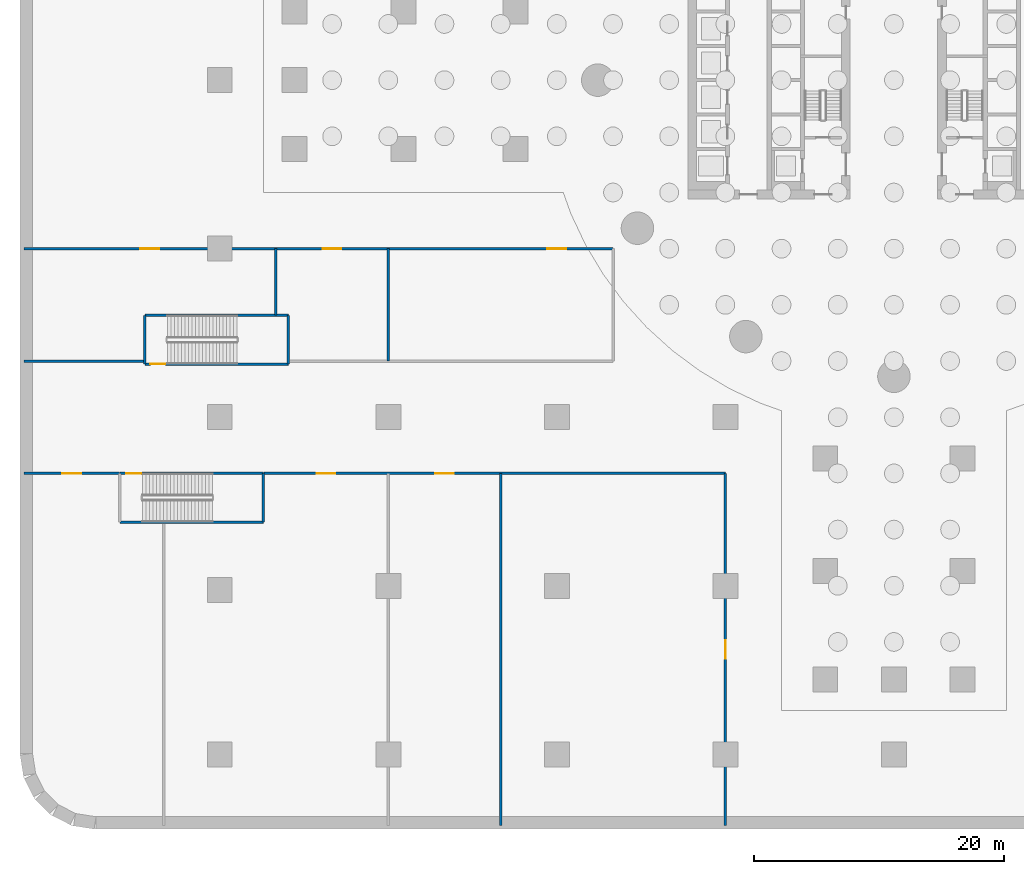
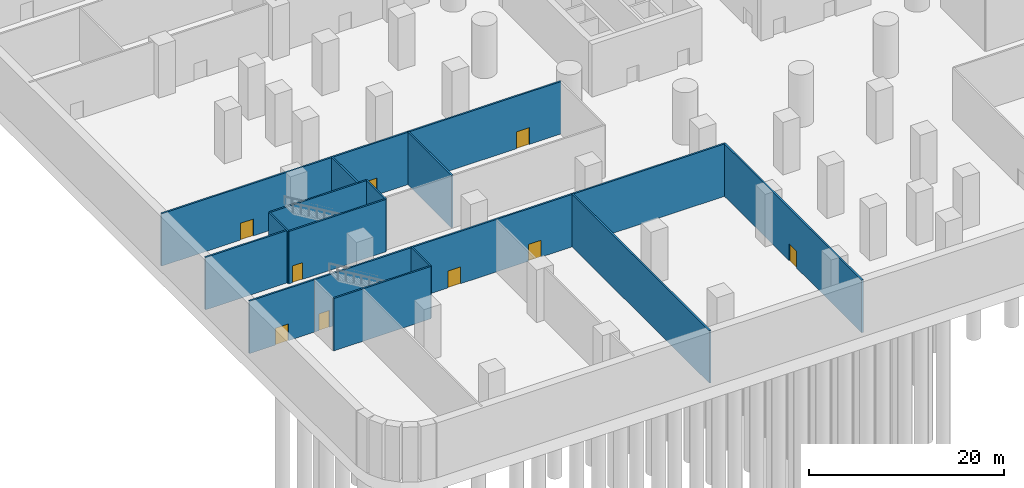
# One storey, part 3 of 13: 15 walls, 9 doors, 9 openings.
"""IFC4 building model written with IfcOpenShell, lengths in metres."""

import ifcopenshell
import ifcopenshell.guid

model = None  # the IFC model being written
_history = None  # IfcOwnerHistory: only IFC2X3 demands one
_inside = {}  # id of a spatial element -> (the spatial element, [elements in it])
_under = {}  # id of a project, library or spatial element -> (it, [spatial elements below it])
_declared = {}  # id of a project -> (the project, [libraries it declares])
_typed = {}  # id of a type object -> (the type object, [elements of that type])
_made_of = {}  # id of a material, layer set ... -> (it, [elements and type objects made of it])


def new_model(schema):
    """Start an empty IFC model of exactly this schema.

    Asked for "IFC4X3", IfcOpenShell would pick the latest addendum, in which some entities
    have other attributes; the version numbers below select the first issue.
    IFC2X3 requires an IfcOwnerHistory on every rooted entity: one is made here for all.
    """
    global model, _history
    if schema == "IFC4X3":
        model = ifcopenshell.file(schema_version=(4, 3, 0, 0))
    else:
        model = ifcopenshell.file(schema=schema)
    _inside.clear()
    _under.clear()
    _declared.clear()
    _typed.clear()
    _made_of.clear()
    _history = None
    if model.schema == "IFC2X3":
        org = make("IfcOrganization", Name="unknown")
        user = make(
            "IfcPersonAndOrganization",
            ThePerson=make("IfcPerson", FamilyName="unknown"),
            TheOrganization=org,
        )
        app = make(
            "IfcApplication",
            ApplicationDeveloper=org,
            Version="unknown",
            ApplicationFullName="unknown",
            ApplicationIdentifier="unknown",
        )
        _history = make(
            "IfcOwnerHistory",
            OwningUser=user,
            OwningApplication=app,
            ChangeAction="ADDED",
            CreationDate=0,
        )
    return model


def make(cls, **values):
    """One entity of the class cls with the attributes given. An attribute that is None is left unset."""
    return model.create_entity(
        cls, **{name: value for name, value in values.items() if value is not None}
    )


def rooted(cls, **values):
    """An entity with a GlobalId (a new one), such as an element, a storey or a relation."""
    return make(cls, GlobalId=ifcopenshell.guid.new(), OwnerHistory=_history, **values)


def si_unit(unit_type, name, prefix=None):
    """IfcSIUnit, for example si_unit("LENGTHUNIT", "METRE", prefix="MILLI")."""
    return make("IfcSIUnit", UnitType=unit_type, Prefix=prefix, Name=name)


def assignment(units):
    """IfcUnitAssignment: the units of a project."""
    return None if units is None else make("IfcUnitAssignment", Units=units)


def point(xyz):
    """IfcCartesianPoint."""
    return None if xyz is None else make("IfcCartesianPoint", Coordinates=xyz)


def direction(xyz):
    """IfcDirection."""
    return None if xyz is None else make("IfcDirection", DirectionRatios=xyz)


def frame(location, z_axis=None, x_axis=None):
    """IfcAxis2Placement3D, a coordinate frame: its origin and axes. An axis left out is left unset."""
    return make(
        "IfcAxis2Placement3D",
        Location=point(location),
        Axis=direction(z_axis),
        RefDirection=direction(x_axis),
    )


def frame_2d(location, x_axis=None):
    """IfcAxis2Placement2D, a coordinate frame in the plane: its origin and x axis."""
    return make(
        "IfcAxis2Placement2D", Location=point(location), RefDirection=direction(x_axis)
    )


def origin():
    """The frame at (0, 0, 0) with its axes left unset."""
    return frame((0.0, 0.0, 0.0))


def place(relative_to, where):
    """IfcLocalPlacement: puts the frame where relative to a parent placement (None: the world)."""
    return make(
        "IfcLocalPlacement", PlacementRelTo=relative_to, RelativePlacement=where
    )


def context(
    kind, dimensions, precision=None, world=None, true_north=None, identifier=None
):
    """IfcGeometricRepresentationContext, for example the 3D "Model" context."""
    return make(
        "IfcGeometricRepresentationContext",
        ContextIdentifier=identifier,
        ContextType=kind,
        CoordinateSpaceDimension=dimensions,
        Precision=precision,
        WorldCoordinateSystem=world,
        TrueNorth=true_north,
    )


def subcontext(parent, identifier, kind, view, scale=None):
    """IfcGeometricRepresentationSubContext, for example "Body" below "Model"."""
    return make(
        "IfcGeometricRepresentationSubContext",
        ContextIdentifier=identifier,
        ContextType=kind,
        ParentContext=parent,
        TargetScale=scale,
        TargetView=view,
    )


def project(units=None, contexts=None):
    """IfcProject with its units and contexts."""
    return rooted(
        "IfcProject",
        Name="project",
        RepresentationContexts=contexts,
        UnitsInContext=assignment(units),
    )


def spatial(cls, under=None, at=None, **own):
    """A site, building, storey or space (cls), placed at a placement, below another one or the project."""
    s = rooted(cls, ObjectPlacement=at, **own)
    if under is not None:
        _under.setdefault(under.id(), (under, []))[1].append(s)
    return s


def profile(cls, at=None, kind="AREA", **sizes):
    """A parametric profile (cls). Its sizes go by their IFC names, for example OverallWidth=200.0."""
    return make(cls, ProfileType=kind, Position=at, **sizes)


def rectangle(**sizes):
    """IfcRectangleProfileDef."""
    return profile("IfcRectangleProfileDef", **sizes)


def extrude(swept, where, along, depth):
    """IfcExtrudedAreaSolid: the profile swept, set in the frame where, extruded along a direction by depth."""
    return make(
        "IfcExtrudedAreaSolid",
        SweptArea=swept,
        Position=where,
        ExtrudedDirection=direction(along),
        Depth=depth,
    )


def shape(context_of_items, identifier, shape_type, items):
    """IfcShapeRepresentation: the items that make up one representation, for example the "Body"."""
    return make(
        "IfcShapeRepresentation",
        ContextOfItems=context_of_items,
        RepresentationIdentifier=identifier,
        RepresentationType=shape_type,
        Items=items,
    )


def material(Name=None, Category=None):
    """IfcMaterial."""
    return make("IfcMaterial", Name=Name, Category=Category)


def layer(
    of_material, thickness, ventilated=None, Name=None, Category=None, Priority=None
):
    """IfcMaterialLayer: one layer of a wall or slab, of a material (None: an air gap)."""
    return make(
        "IfcMaterialLayer",
        Material=of_material,
        LayerThickness=thickness,
        IsVentilated=ventilated,
        Name=Name,
        Category=Category,
        Priority=Priority,
    )


def layer_set(layers, Name=None):
    """IfcMaterialLayerSet."""
    return make("IfcMaterialLayerSet", MaterialLayers=layers, LayerSetName=Name)


def made_of(thing, what):
    """Note that an element or type object is made of a material, layer set ...; save() writes the relation."""
    if what is not None:
        _made_of.setdefault(what.id(), (what, []))[1].append(thing)
    return thing


def type_object(cls, material=None, **own):
    """A type object (cls), such as IfcWallType, which elements share."""
    return made_of(rooted(cls, **own), material)


def element(
    cls,
    number,
    at=None,
    inside=None,
    cuts=None,
    type_object=None,
    material=None,
    context=None,
    identifier="Body",
    shape_type=None,
    held_by="IfcProductDefinitionShape",
    body=None,
    shapes=None,
    **own,
):
    """One element of the class cls, such as IfcWall. Its Tag is "e" and its number.

    at: its placement. inside: the storey or other place that contains it. cuts: it is an
    opening in that element (IfcRelVoidsElement). A single representation is given by context,
    identifier, shape_type and body (its items); several are given by shapes. held_by: the class
    of the entity that holds the representations. save() writes the other relations.
    """
    e = rooted(cls, Tag="e%d" % number, ObjectPlacement=at, **own)
    if body is not None:
        shapes = [shape(context, identifier, shape_type, body)]
    if shapes is not None:
        e.Representation = make(held_by, Representations=shapes)
    if inside is not None:
        _inside.setdefault(inside.id(), (inside, []))[1].append(e)
    if cuts is not None:
        rooted(
            "IfcRelVoidsElement", RelatingBuildingElement=cuts, RelatedOpeningElement=e
        )
    if type_object is not None:
        _typed.setdefault(type_object.id(), (type_object, []))[1].append(e)
    return made_of(e, material)


def fill(opening, filler):
    """IfcRelFillsElement: the door or window that sits in an opening."""
    return rooted(
        "IfcRelFillsElement",
        RelatingOpeningElement=opening,
        RelatedBuildingElement=filler,
    )


def aggregate(whole, parts):
    """IfcRelAggregates: a whole, such as a stair, and the parts it consists of."""
    return rooted("IfcRelAggregates", RelatingObject=whole, RelatedObjects=parts)


def save(model, path):
    """Write the relations noted so far, then the file.

    IfcRelAggregates (storeys below a building ...), IfcRelContainedInSpatialStructure (elements
    in a storey), IfcRelDefinesByType, IfcRelAssociatesMaterial and IfcRelDeclares: one each for
    every whole, place, type object, material and project.
    """
    for whole, parts in _under.values():
        aggregate(whole, parts)
    for where, things in _inside.values():
        rooted(
            "IfcRelContainedInSpatialStructure",
            RelatedElements=things,
            RelatingStructure=where,
        )
    for kind, things in _typed.values():
        rooted("IfcRelDefinesByType", RelatedObjects=things, RelatingType=kind)
    for what, things in _made_of.values():
        rooted("IfcRelAssociatesMaterial", RelatedObjects=things, RelatingMaterial=what)
    for by, libraries in _declared.values():
        rooted("IfcRelDeclares", RelatingContext=by, RelatedDefinitions=libraries)
    model.write(path)


model = new_model("IFC4")

# Units and contexts
model_context = context("Model", 3, precision=1e-05, world=origin(), true_north=direction((0.0, 1.0)))
body_context = subcontext(model_context, "Body", "Model", "MODEL_VIEW")
ifc_project = project(units=[si_unit("LENGTHUNIT", "METRE"), si_unit("AREAUNIT", "SQUARE_METRE"), si_unit("VOLUMEUNIT", "CUBIC_METRE"), si_unit("PLANEANGLEUNIT", "RADIAN"), si_unit("MASSUNIT", "GRAM", prefix="KILO")], contexts=[model_context])

# Site, building, storey
site_placement = place(None, origin())
site = spatial("IfcSite", under=ifc_project, at=site_placement, CompositionType="ELEMENT")
building_placement = place(site_placement, origin())
building = spatial("IfcBuilding", under=site, at=building_placement, Name="Tamarind Cross Interchange Tower", CompositionType="ELEMENT")
storey_placement = place(building_placement, frame((0.0, 0.0, -21.0)))
storey = spatial("IfcBuildingStorey", under=building, at=storey_placement, Name="B3", CompositionType="ELEMENT", Elevation=-21.0)

# Wall, opening, door
ifc_material_1 = material(Name="Masonry partition, fire-rated", Category="masonry")
ifc_layer_1 = layer(ifc_material_1, 0.199951171875)
ifc_layer_set_1 = layer_set([ifc_layer_1], Name="Masonry partition, fire-rated")
wall_type_1 = type_object("IfcWallType", Name="Fire partition 200 EI 120", PredefinedType="PARTITIONING", material=ifc_layer_set_1)
wall_1_placement = place(storey_placement, frame((-69.698974609375, -31.5, 0.0), z_axis=(0.0, 0.0, 1.0), x_axis=(1.0, 0.0, 0.0)))
wall_1 = element("IfcWall", 1, at=wall_1_placement, inside=storey, type_object=wall_type_1, Name="B3 partition 9", PredefinedType="PARTITIONING", context=body_context, shape_type="SweptSolid", body=[
    extrude(rectangle(XDim=7.6689453125, YDim=0.199951171875, at=frame_2d((3.83447265625, 0.0))), origin(), (0.0, 0.0, 1.0), 6.550048828125),
])
opening_1_placement = place(wall_1_placement, frame((3.089111328125, 0.0, 0.0)))
opening_1 = element("IfcOpeningElement", 2, at=opening_1_placement, cuts=wall_1, Name="Opening DB3-21", PredefinedType="OPENING", context=body_context, shape_type="SweptSolid", body=[
    extrude(rectangle(XDim=1.5, YDim=2.10009765625, at=frame_2d((0.75, 1.050048828125))), frame((0.0, 0.10986328125, 0.0), z_axis=(0.0, -1.0, 0.0), x_axis=(1.0, 0.0, 0.0)), (0.0, 0.0, 1.0), 0.219970703125),
])
ifc_material_2 = material(Name="Steel, fire-resisting", Category="steel")
door_type_1 = type_object("IfcDoorType", Name="Podium door 1500 x 2100 FD90", OperationType="SINGLE_SWING_LEFT", PredefinedType="DOOR", material=ifc_material_2)
door_1_placement = place(opening_1_placement, origin())
door_1 = element("IfcDoor", 3, at=door_1_placement, inside=storey, type_object=door_type_1, Name="B3 door Electrical Switch Room B319", OperationType="SINGLE_SWING_LEFT", OverallHeight=2.10009765625, OverallWidth=1.5, PredefinedType="DOOR", context=body_context, shape_type="SweptSolid", body=[
    extrude(rectangle(XDim=1.5, YDim=2.10009765625, at=frame_2d((0.75, 1.050048828125))), frame((0.0, 0.02490234375, 0.0), z_axis=(0.0, -1.0, 0.0), x_axis=(1.0, 0.0, 0.0)), (0.0, 0.0, 1.0), 0.050048828125),
])
fill(opening_1, door_1)

# Wall
wall_2_placement = place(storey_placement, frame((-69.698974609375, -22.5, 0.0), z_axis=(0.0, 0.0, 1.0), x_axis=(1.0, 0.0, 0.0)))
element("IfcWall", 4, at=wall_2_placement, inside=storey, type_object=wall_type_1, Name="B3 partition 10", PredefinedType="PARTITIONING", context=body_context, shape_type="SweptSolid", body=[
    extrude(rectangle(XDim=9.6689453125, YDim=0.199951171875, at=frame_2d((4.83447265625, 0.0))), origin(), (0.0, 0.0, 1.0), 6.550048828125),
])

# Wall, openings, doors
wall_3_placement = place(storey_placement, frame((-69.698974609375, -13.5, 0.0), z_axis=(0.0, 0.0, 1.0), x_axis=(1.0, 0.0, 0.0)))
wall_3 = element("IfcWall", 5, at=wall_3_placement, inside=storey, type_object=wall_type_1, Name="B3 partition 11", PredefinedType="PARTITIONING", context=body_context, shape_type="SweptSolid", body=[
    extrude(rectangle(XDim=47.198974609375, YDim=0.199951171875, at=frame_2d((23.599609375, 0.0))), origin(), (0.0, 0.0, 1.0), 6.550048828125),
])
opening_2_placement = place(wall_3_placement, frame((41.948974609375, 0.0, 0.0)))
opening_2 = element("IfcOpeningElement", 6, at=opening_2_placement, cuts=wall_3, Name="Opening DB3-15", PredefinedType="OPENING", context=body_context, shape_type="SweptSolid", body=[
    extrude(rectangle(XDim=1.5, YDim=2.10009765625, at=frame_2d((0.75, 1.050048828125))), frame((0.0, 0.10986328125, 0.0), z_axis=(0.0, -1.0, 0.0), x_axis=(1.0, 0.0, 0.0)), (0.0, 0.0, 1.0), 0.219970703125),
])
opening_3_placement = place(wall_3_placement, frame((23.93896484375, 0.0, 0.0)))
opening_3 = element("IfcOpeningElement", 7, at=opening_3_placement, cuts=wall_3, Name="Opening DB3-16", PredefinedType="OPENING", context=body_context, shape_type="SweptSolid", body=[
    extrude(rectangle(XDim=1.5, YDim=2.10009765625, at=frame_2d((0.75, 1.050048828125))), frame((0.0, 0.10986328125, 0.0), z_axis=(0.0, -1.0, 0.0), x_axis=(1.0, 0.0, 0.0)), (0.0, 0.0, 1.0), 0.219970703125),
])
opening_4_placement = place(wall_3_placement, frame((9.339111328125, 0.0, 0.0)))
opening_4 = element("IfcOpeningElement", 8, at=opening_4_placement, cuts=wall_3, Name="Opening DB3-17", PredefinedType="OPENING", context=body_context, shape_type="SweptSolid", body=[
    extrude(rectangle(XDim=1.5, YDim=2.10009765625, at=frame_2d((0.75, 1.050048828125))), frame((0.0, 0.10986328125, 0.0), z_axis=(0.0, -1.0, 0.0), x_axis=(1.0, 0.0, 0.0)), (0.0, 0.0, 1.0), 0.219970703125),
])
door_2_placement = place(opening_2_placement, origin())
door_2 = element("IfcDoor", 9, at=door_2_placement, inside=storey, type_object=door_type_1, Name="B3 door Electrical Switch Room B313", OperationType="SINGLE_SWING_LEFT", OverallHeight=2.10009765625, OverallWidth=1.5, PredefinedType="DOOR", context=body_context, shape_type="SweptSolid", body=[
    extrude(rectangle(XDim=1.5, YDim=2.10009765625, at=frame_2d((0.75, 1.050048828125))), frame((0.0, 0.02490234375, 0.0), z_axis=(0.0, -1.0, 0.0), x_axis=(1.0, 0.0, 0.0)), (0.0, 0.0, 1.0), 0.050048828125),
])
fill(opening_2, door_2)
door_3_placement = place(opening_3_placement, origin())
door_3 = element("IfcDoor", 10, at=door_3_placement, inside=storey, type_object=door_type_1, Name="B3 door Generator Room B314", OperationType="SINGLE_SWING_RIGHT", OverallHeight=2.10009765625, OverallWidth=1.5, PredefinedType="DOOR", context=body_context, shape_type="SweptSolid", body=[
    extrude(rectangle(XDim=1.5, YDim=2.10009765625, at=frame_2d((0.75, 1.050048828125))), frame((0.0, 0.02490234375, 0.0), z_axis=(0.0, -1.0, 0.0), x_axis=(1.0, 0.0, 0.0)), (0.0, 0.0, 1.0), 0.050048828125),
])
fill(opening_3, door_3)
door_4_placement = place(opening_4_placement, origin())
door_4 = element("IfcDoor", 11, at=door_4_placement, inside=storey, type_object=door_type_1, Name="B3 door Smoke Extract Plant Room B315", OperationType="SINGLE_SWING_LEFT", OverallHeight=2.10009765625, OverallWidth=1.5, PredefinedType="DOOR", context=body_context, shape_type="SweptSolid", body=[
    extrude(rectangle(XDim=1.5, YDim=2.10009765625, at=frame_2d((0.75, 1.050048828125))), frame((0.0, 0.02490234375, 0.0), z_axis=(0.0, -1.0, 0.0), x_axis=(1.0, 0.0, 0.0)), (0.0, 0.0, 1.0), 0.050048828125),
])
fill(opening_4, door_4)

wall_4_placement = place(storey_placement, frame((-50.469970703125, -31.5, 0.0), z_axis=(0.0, 0.0, 1.0), x_axis=(1.0, 0.0, 0.0)))
wall_4 = element("IfcWall", 12, at=wall_4_placement, inside=storey, type_object=wall_type_1, Name="B3 partition 17", PredefinedType="PARTITIONING", context=body_context, shape_type="SweptSolid", body=[
    extrude(rectangle(XDim=36.969970703125, YDim=0.199951171875, at=frame_2d((18.48486328125, 0.0))), origin(), (0.0, 0.0, 1.0), 6.550048828125),
])
opening_5_placement = place(wall_4_placement, frame((13.72998046875, 0.0, 0.0)))
opening_5 = element("IfcOpeningElement", 13, at=opening_5_placement, cuts=wall_4, Name="Opening DB3-19", PredefinedType="OPENING", context=body_context, shape_type="SweptSolid", body=[
    extrude(rectangle(XDim=1.5, YDim=2.10009765625, at=frame_2d((0.75, 1.050048828125))), frame((0.0, 0.10986328125, 0.0), z_axis=(0.0, -1.0, 0.0), x_axis=(1.0, 0.0, 0.0)), (0.0, 0.0, 1.0), 0.219970703125),
])
opening_6_placement = place(wall_4_placement, frame((4.219970703125, 0.0, 0.0)))
opening_6 = element("IfcOpeningElement", 14, at=opening_6_placement, cuts=wall_4, Name="Opening DB3-20", PredefinedType="OPENING", context=body_context, shape_type="SweptSolid", body=[
    extrude(rectangle(XDim=1.5, YDim=2.10009765625, at=frame_2d((0.75, 1.050048828125))), frame((0.0, 0.10986328125, 0.0), z_axis=(0.0, -1.0, 0.0), x_axis=(1.0, 0.0, 0.0)), (0.0, 0.0, 1.0), 0.219970703125),
])
door_type_2 = type_object("IfcDoorType", Name="Podium door 1500 x 2100 FD60", OperationType="SINGLE_SWING_LEFT", PredefinedType="DOOR", material=ifc_material_2)
door_5_placement = place(opening_6_placement, origin())
door_5 = element("IfcDoor", 15, at=door_5_placement, inside=storey, type_object=door_type_2, Name="B3 door Fire Pump Room B318", OperationType="SINGLE_SWING_RIGHT", OverallHeight=2.10009765625, OverallWidth=1.5, PredefinedType="DOOR", context=body_context, shape_type="SweptSolid", body=[
    extrude(rectangle(XDim=1.5, YDim=2.10009765625, at=frame_2d((0.75, 1.050048828125))), frame((0.0, 0.02490234375, 0.0), z_axis=(0.0, -1.0, 0.0), x_axis=(1.0, 0.0, 0.0)), (0.0, 0.0, 1.0), 0.050048828125),
])
fill(opening_6, door_5)
door_6_placement = place(opening_5_placement, origin())
door_6 = element("IfcDoor", 16, at=door_6_placement, inside=storey, type_object=door_type_1, Name="B3 door Smoke Extract Plant Room B317", OperationType="SINGLE_SWING_LEFT", OverallHeight=2.10009765625, OverallWidth=1.5, PredefinedType="DOOR", context=body_context, shape_type="SweptSolid", body=[
    extrude(rectangle(XDim=1.5, YDim=2.10009765625, at=frame_2d((0.75, 1.050048828125))), frame((0.0, 0.02490234375, 0.0), z_axis=(0.0, -1.0, 0.0), x_axis=(1.0, 0.0, 0.0)), (0.0, 0.0, 1.0), 0.050048828125),
])
fill(opening_5, door_6)

# Walls
wall_5_placement = place(storey_placement, frame((-49.5, -18.820068359375, 0.0), z_axis=(0.0, 0.0, 1.0), x_axis=(0.0, 1.0, 0.0)))
element("IfcWall", 17, at=wall_5_placement, inside=storey, type_object=wall_type_1, Name="B3 partition 18", PredefinedType="PARTITIONING", context=body_context, shape_type="SweptSolid", body=[
    extrude(rectangle(XDim=5.320068359375, YDim=0.199951171875, at=frame_2d((2.66015625, 0.0))), origin(), (0.0, 0.0, 1.0), 6.550048828125),
])
wall_6_placement = place(storey_placement, frame((-40.5, -22.5, 0.0), z_axis=(0.0, 0.0, 1.0), x_axis=(0.0, 1.0, 0.0)))
element("IfcWall", 18, at=wall_6_placement, inside=storey, type_object=wall_type_1, Name="B3 partition 23", PredefinedType="PARTITIONING", context=body_context, shape_type="SweptSolid", body=[
    extrude(rectangle(XDim=9.0, YDim=0.199951171875, at=frame_2d((4.5, 0.0))), origin(), (0.0, 0.0, 1.0), 6.550048828125),
])
wall_7_placement = place(storey_placement, frame((-31.5, -59.698974609375, 0.0), z_axis=(0.0, 0.0, 1.0), x_axis=(0.0, 1.0, 0.0)))
element("IfcWall", 19, at=wall_7_placement, inside=storey, type_object=wall_type_1, Name="B3 partition 26", PredefinedType="PARTITIONING", context=body_context, shape_type="SweptSolid", body=[
    extrude(rectangle(XDim=28.198974609375, YDim=0.199951171875, at=frame_2d((14.099609375, 0.0))), origin(), (0.0, 0.0, 1.0), 6.550048828125),
])

# Wall, opening, door
wall_8_placement = place(storey_placement, frame((-13.5, -59.698974609375, 0.0), z_axis=(0.0, 0.0, 1.0), x_axis=(0.0, 1.0, 0.0)))
wall_8 = element("IfcWall", 20, at=wall_8_placement, inside=storey, type_object=wall_type_1, Name="B3 partition 27", PredefinedType="PARTITIONING", context=body_context, shape_type="SweptSolid", body=[
    extrude(rectangle(XDim=28.198974609375, YDim=0.199951171875, at=frame_2d((14.099609375, 0.0))), origin(), (0.0, 0.0, 1.0), 6.550048828125),
])
opening_7_placement = place(wall_8_placement, frame((13.34912109375, 0.0, 0.0)))
opening_7 = element("IfcOpeningElement", 21, at=opening_7_placement, cuts=wall_8, Name="Opening DB3-18", PredefinedType="OPENING", context=body_context, shape_type="SweptSolid", body=[
    extrude(rectangle(XDim=1.5, YDim=2.10009765625, at=frame_2d((0.75, 1.050048828125))), frame((0.0, 0.10986328125, 0.0), z_axis=(0.0, -1.0, 0.0), x_axis=(1.0, 0.0, 0.0)), (0.0, 0.0, 1.0), 0.219970703125),
])
door_7_placement = place(opening_7_placement, origin())
door_7 = element("IfcDoor", 22, at=door_7_placement, inside=storey, type_object=door_type_1, Name="B3 door Transformer Room B316", OperationType="SINGLE_SWING_RIGHT", OverallHeight=2.10009765625, OverallWidth=1.5, PredefinedType="DOOR", context=body_context, shape_type="SweptSolid", body=[
    extrude(rectangle(XDim=1.5, YDim=2.10009765625, at=frame_2d((0.75, 1.050048828125))), frame((0.0, 0.02490234375, 0.0), z_axis=(0.0, -1.0, 0.0), x_axis=(1.0, 0.0, 0.0)), (0.0, 0.0, 1.0), 0.050048828125),
])
fill(opening_7, door_7)

ifc_material_3 = material(Name="Concrete C40", Category="concrete")
ifc_layer_2 = layer(ifc_material_3, 0.199951171875)
ifc_layer_set_2 = layer_set([ifc_layer_2], Name="Concrete C40")
wall_type_2 = type_object("IfcWallType", Name="Stair shaft wall 200 EI 180", PredefinedType="PARTITIONING", material=ifc_layer_set_2)
wall_9_placement = place(storey_placement, frame((-62.0, -31.5, 0.0), z_axis=(0.0, 0.0, 1.0), x_axis=(1.0, 0.0, 0.0)))
wall_9 = element("IfcWall", 23, at=wall_9_placement, inside=storey, type_object=wall_type_2, Name="B3 stair shaft wall 1", PredefinedType="PARTITIONING", context=body_context, shape_type="SweptSolid", body=[
    extrude(rectangle(XDim=11.5, YDim=0.199951171875, at=frame_2d((5.75, 0.0))), origin(), (0.0, 0.0, 1.0), 6.550048828125),
])
opening_8_placement = place(wall_9_placement, frame((0.52001953125, 0.0, 0.0)))
opening_8 = element("IfcOpeningElement", 24, at=opening_8_placement, cuts=wall_9, Name="Opening DB3-01", PredefinedType="OPENING", context=body_context, shape_type="SweptSolid", body=[
    extrude(rectangle(XDim=1.199951171875, YDim=2.10009765625, at=frame_2d((0.60009765625, 1.050048828125))), frame((0.0, 0.10986328125, 0.0), z_axis=(0.0, -1.0, 0.0), x_axis=(1.0, 0.0, 0.0)), (0.0, 0.0, 1.0), 0.219970703125),
])
door_type_3 = type_object("IfcDoorType", Name="Podium door 1200 x 2100 FD90", OperationType="SINGLE_SWING_LEFT", PredefinedType="DOOR", material=ifc_material_2)
door_8_placement = place(opening_8_placement, origin())
door_8 = element("IfcDoor", 25, at=door_8_placement, inside=storey, type_object=door_type_3, Name="B3 door Exit Stair PX7", OperationType="SINGLE_SWING_LEFT", OverallHeight=2.10009765625, OverallWidth=1.199951171875, PredefinedType="DOOR", context=body_context, shape_type="SweptSolid", body=[
    extrude(rectangle(XDim=1.199951171875, YDim=2.10009765625, at=frame_2d((0.60009765625, 1.050048828125))), frame((0.0, 0.02490234375, 0.0), z_axis=(0.0, -1.0, 0.0), x_axis=(1.0, 0.0, 0.0)), (0.0, 0.0, 1.0), 0.050048828125),
])
fill(opening_8, door_8)

# Walls
wall_10_placement = place(storey_placement, frame((-50.5, -35.39990234375, 0.0), z_axis=(0.0, 0.0, 1.0), x_axis=(0.0, 1.0, 0.0)))
element("IfcWall", 26, at=wall_10_placement, inside=storey, type_object=wall_type_2, Name="B3 stair shaft wall 2", PredefinedType="PARTITIONING", context=body_context, shape_type="SweptSolid", body=[
    extrude(rectangle(XDim=3.89990234375, YDim=0.199951171875, at=frame_2d((1.949951171875, 0.0))), origin(), (0.0, 0.0, 1.0), 6.550048828125),
])
for number, where, z_axis, x_axis, name in (
    (27, (-62.0, -35.39990234375, 0.0), (0.0, 0.0, 1.0), (1.0, 0.0, 0.0), "B3 stair shaft wall 3"),
    (28, (-60.0, -18.85009765625, 0.0), (0.0, 0.0, 1.0), (1.0, 0.0, 0.0), "B3 stair shaft wall 5"),
):
    element("IfcWall", number, at=place(storey_placement, frame(where, z_axis=z_axis, x_axis=x_axis)), inside=storey, type_object=wall_type_2, Name=name, PredefinedType="PARTITIONING", context=body_context, shape_type="SweptSolid", body=[
        extrude(rectangle(XDim=11.5, YDim=0.199951171875, at=frame_2d((5.75, 0.0))), origin(), (0.0, 0.0, 1.0), 6.550048828125),
    ])
wall_11_placement = place(storey_placement, frame((-48.5, -22.75, 0.0), z_axis=(0.0, 0.0, 1.0), x_axis=(0.0, 1.0, 0.0)))
element("IfcWall", 29, at=wall_11_placement, inside=storey, type_object=wall_type_2, Name="B3 stair shaft wall 6", PredefinedType="PARTITIONING", context=body_context, shape_type="SweptSolid", body=[
    extrude(rectangle(XDim=3.89990234375, YDim=0.199951171875, at=frame_2d((1.949951171875, 0.0))), origin(), (0.0, 0.0, 1.0), 6.550048828125),
])

# Wall, opening, door
wall_12_placement = place(storey_placement, frame((-60.0, -22.75, 0.0), z_axis=(0.0, 0.0, 1.0), x_axis=(1.0, 0.0, 0.0)))
wall_12 = element("IfcWall", 30, at=wall_12_placement, inside=storey, type_object=wall_type_2, Name="B3 stair shaft wall 7", PredefinedType="PARTITIONING", context=body_context, shape_type="SweptSolid", body=[
    extrude(rectangle(XDim=11.5, YDim=0.199951171875, at=frame_2d((5.75, 0.0))), origin(), (0.0, 0.0, 1.0), 6.550048828125),
])
opening_9_placement = place(wall_12_placement, frame((0.43896484375, 0.0, 0.0)))
opening_9 = element("IfcOpeningElement", 31, at=opening_9_placement, cuts=wall_12, Name="Opening DB3-02", PredefinedType="OPENING", context=body_context, shape_type="SweptSolid", body=[
    extrude(rectangle(XDim=1.199951171875, YDim=2.10009765625, at=frame_2d((0.60009765625, 1.050048828125))), frame((0.0, 0.10986328125, 0.0), z_axis=(0.0, -1.0, 0.0), x_axis=(1.0, 0.0, 0.0)), (0.0, 0.0, 1.0), 0.219970703125),
])
door_9_placement = place(opening_9_placement, origin())
door_9 = element("IfcDoor", 32, at=door_9_placement, inside=storey, type_object=door_type_3, Name="B3 door Exit Stair PX8", OperationType="SINGLE_SWING_RIGHT", OverallHeight=2.10009765625, OverallWidth=1.199951171875, PredefinedType="DOOR", context=body_context, shape_type="SweptSolid", body=[
    extrude(rectangle(XDim=1.199951171875, YDim=2.10009765625, at=frame_2d((0.60009765625, 1.050048828125))), frame((0.0, 0.02490234375, 0.0), z_axis=(0.0, -1.0, 0.0), x_axis=(1.0, 0.0, 0.0)), (0.0, 0.0, 1.0), 0.050048828125),
])
fill(opening_9, door_9)

# Wall
wall_13_placement = place(storey_placement, frame((-60.0, -22.75, 0.0), z_axis=(0.0, 0.0, 1.0), x_axis=(0.0, 1.0, 0.0)))
element("IfcWall", 33, at=wall_13_placement, inside=storey, type_object=wall_type_2, Name="B3 stair shaft wall 8", PredefinedType="PARTITIONING", context=body_context, shape_type="SweptSolid", body=[
    extrude(rectangle(XDim=3.89990234375, YDim=0.199951171875, at=frame_2d((1.949951171875, 0.0))), origin(), (0.0, 0.0, 1.0), 6.550048828125),
])

save(model, "model.ifc")
